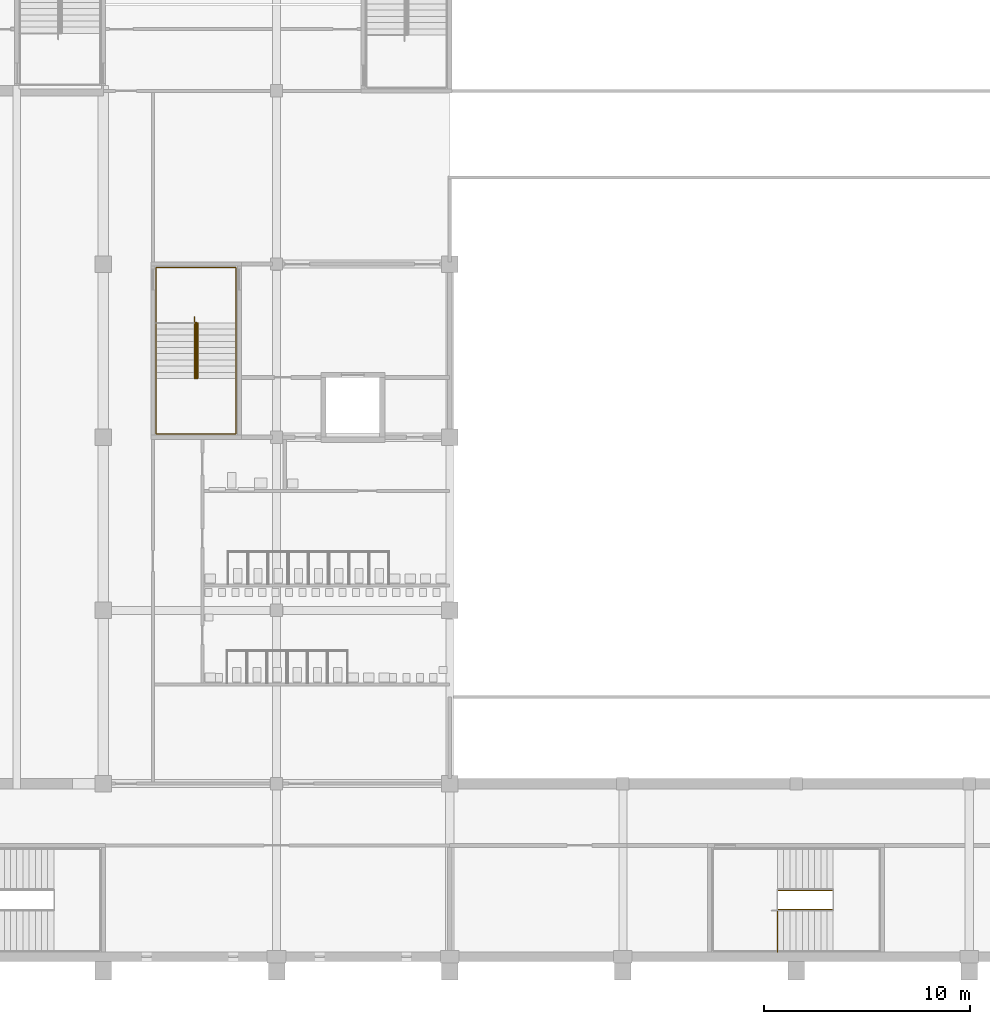
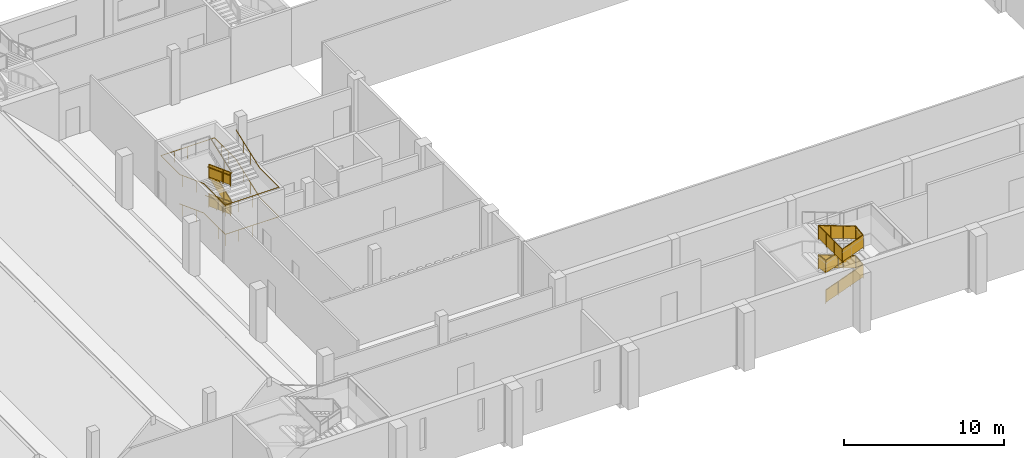
# One storey, part 45 of 56: 6 railings.
"""IFC4 building model written with IfcOpenShell, lengths in metres."""

from ifc_helpers import new_model, si_unit, direction, frame, origin, origin_2d, place, context, subcontext, project, spatial, polyline, circle, outline, extrude, material, type_object, element, save


model = new_model("IFC4")

# Units and contexts
model_context = context("Model", 3, precision=1e-05, world=origin(), true_north=direction((0.0, 1.0)))
body_context = subcontext(model_context, "Body", "Model", "MODEL_VIEW")
ifc_project = project(units=[si_unit("LENGTHUNIT", "METRE"), si_unit("AREAUNIT", "SQUARE_METRE"), si_unit("VOLUMEUNIT", "CUBIC_METRE"), si_unit("PLANEANGLEUNIT", "RADIAN"), si_unit("MASSUNIT", "GRAM", prefix="KILO")], contexts=[model_context])

# Site, building, storey
site_placement = place(None, origin())
site = spatial("IfcSite", under=ifc_project, at=site_placement, CompositionType="ELEMENT")
building_placement = place(site_placement, origin())
building = spatial("IfcBuilding", under=site, at=building_placement, Name="Rulbaag Community and Learning Centre", CompositionType="ELEMENT")
storey_placement = place(building_placement, frame((0.0, 0.0, 9.89990234375)))
storey = spatial("IfcBuildingStorey", under=building, at=storey_placement, Name="L02", CompositionType="ELEMENT", Elevation=9.89990234375)

# Railings
ifc_material_1 = material(Name="Galvanised mild steel", Category="steel")
railing_type_1 = type_object("IfcRailingType", Name="GR-1100 GUARD 1100", PredefinedType="GUARDRAIL", material=ifc_material_1)
railing_1_placement = place(storey_placement, frame((29.679931640625, 30.75, 0.112548828125)))
element("IfcRailing", 1, at=railing_1_placement, inside=storey, type_object=railing_type_1, Name="Guard SH1 L02 G", PredefinedType="GUARDRAIL", context=body_context, shape_type="SweptSolid", body=[
    extrude(circle(Radius=0.02490234375, at=origin_2d()), frame((0.0, 0.0, 1.0751953125), z_axis=(0.0, -0.93633265699, 0.351114162993), x_axis=(1.0, 0.0, 0.0)), (0.0, 0.0, 1.0), 2.883544921875),
    extrude(circle(Radius=0.02001953125, at=origin_2d()), origin(), (0.0, 0.0, 1.0), 1.050048828125),
    extrude(circle(Radius=0.02001953125, at=origin_2d()), frame((0.0, -0.89990234375, 0.33740234375)), (0.0, 0.0, 1.0), 1.050048828125),
    extrude(circle(Radius=0.02001953125, at=origin_2d()), frame((0.0, -1.800048828125, 0.675048828125)), (0.0, 0.0, 1.0), 1.050048828125),
    extrude(circle(Radius=0.02001953125, at=origin_2d()), frame((0.0, -2.699951171875, 1.012451171875)), (0.0, 0.0, 1.0), 1.050048828125),
    extrude(outline(polyline([(0.0, 0.0), (2.699951171875, 1.012451171875), (2.699951171875, 1.96240234375), (0.0, 0.949951171875), (0.0, 0.0)])), frame((0.0048828125, 0.0, 0.10009765625), z_axis=(-1.0, 0.0, 0.0), x_axis=(0.0, -1.0, 0.0)), (0.0, 0.0, 1.0), 0.010009765625),
])
railing_2_placement = place(storey_placement, frame((29.719970703125, 28.050048828125, 1.237548828125)))
element("IfcRailing", 2, at=railing_2_placement, inside=storey, type_object=railing_type_1, Name="Guard SH1 L02 G2", PredefinedType="GUARDRAIL", context=body_context, shape_type="SweptSolid", body=[
    extrude(circle(Radius=0.02490234375, at=origin_2d()), frame((0.0, 0.0, 1.0751953125), z_axis=(0.0, 0.93633265699, 0.351114162993), x_axis=(-1.0, 0.0, 0.0)), (0.0, 0.0, 1.0), 2.883544921875),
    extrude(circle(Radius=0.02001953125, at=origin_2d()), origin(), (0.0, 0.0, 1.0), 1.050048828125),
    extrude(circle(Radius=0.02001953125, at=origin_2d()), frame((0.0, 0.89990234375, 0.33740234375)), (0.0, 0.0, 1.0), 1.050048828125),
    extrude(circle(Radius=0.02001953125, at=origin_2d()), frame((0.0, 1.800048828125, 0.675048828125)), (0.0, 0.0, 1.0), 1.050048828125),
    extrude(circle(Radius=0.02001953125, at=origin_2d()), frame((0.0, 2.699951171875, 1.012451171875)), (0.0, 0.0, 1.0), 1.050048828125),
    extrude(outline(polyline([(0.0, 0.0), (2.699951171875, 1.012451171875), (2.699951171875, 1.96240234375), (0.0, 0.949951171875), (0.0, 0.0)])), frame((-0.0048828125, 0.0, 0.10009765625), z_axis=(1.0, 0.0, 0.0), x_axis=(0.0, 1.0, 0.0)), (0.0, 0.0, 1.0), 0.010009765625),
])
railing_3_placement = place(storey_placement, frame((29.679931640625, 30.75, 2.362548828125)))
element("IfcRailing", 3, at=railing_3_placement, inside=storey, type_object=railing_type_1, Name="Guard SH1 L02 G3", PredefinedType="GUARDRAIL", context=body_context, shape_type="SweptSolid", body=[
    extrude(circle(Radius=0.02490234375, at=origin_2d()), frame((0.0, 0.0, 1.0751953125), z_axis=(0.0, -0.93633265699, 0.351114162993), x_axis=(1.0, 0.0, 0.0)), (0.0, 0.0, 1.0), 2.883544921875),
    extrude(circle(Radius=0.02001953125, at=origin_2d()), origin(), (0.0, 0.0, 1.0), 1.050048828125),
    extrude(circle(Radius=0.02001953125, at=origin_2d()), frame((0.0, -0.89990234375, 0.33740234375)), (0.0, 0.0, 1.0), 1.050048828125),
    extrude(circle(Radius=0.02001953125, at=origin_2d()), frame((0.0, -1.800048828125, 0.675048828125)), (0.0, 0.0, 1.0), 1.050048828125),
    extrude(circle(Radius=0.02001953125, at=origin_2d()), frame((0.0, -2.699951171875, 1.012451171875)), (0.0, 0.0, 1.0), 1.050048828125),
    extrude(outline(polyline([(0.0, 0.0), (2.699951171875, 1.012451171875), (2.699951171875, 1.96240234375), (0.0, 0.949951171875), (0.0, 0.0)])), frame((0.0048828125, 0.0, 0.10009765625), z_axis=(-1.0, 0.0, 0.0), x_axis=(0.0, -1.0, 0.0)), (0.0, 0.0, 1.0), 0.010009765625),
])
railing_4_placement = place(storey_placement, frame((57.89990234375, 2.304931640625, 0.112548828125)))
element("IfcRailing", 4, at=railing_4_placement, inside=storey, type_object=railing_type_1, Name="Guard SH8 L02 G", PredefinedType="GUARDRAIL", context=body_context, shape_type="SweptSolid", body=[
    extrude(circle(Radius=0.02490234375, at=origin_2d()), frame((0.0, 0.0, 1.0751953125), z_axis=(0.936343093598, 0.0, 0.351086329941), x_axis=(0.0, 1.0, 0.0)), (0.0, 0.0, 1.0), 2.8837890625),
    extrude(circle(Radius=0.02490234375, at=origin_2d()), frame((2.7001953125, 0.0, 2.08740234375), z_axis=(0.0, 0.992520392836, 0.122078949065), x_axis=(-1.0, 0.0, 0.0)), (0.0, 0.0, 1.0), 0.921875),
    extrude(circle(Radius=0.02490234375, at=origin_2d()), frame((2.7001953125, 0.9150390625, 2.2001953125), z_axis=(-0.936343093598, 0.0, 0.351086329941), x_axis=(0.0, -1.0, 0.0)), (0.0, 0.0, 1.0), 2.8837890625),
    extrude(circle(Radius=0.02490234375, at=origin_2d()), frame((0.0, 0.9150390625, 3.21240234375), z_axis=(0.0, -0.992520392836, 0.122078949065), x_axis=(1.0, 0.0, 0.0)), (0.0, 0.0, 1.0), 0.921875),
    extrude(circle(Radius=0.02490234375, at=origin_2d()), frame((0.0, 0.0, 3.3251953125), z_axis=(0.936343093598, 0.0, 0.351086329941), x_axis=(0.0, 1.0, 0.0)), (0.0, 0.0, 1.0), 2.8837890625),
    extrude(circle(Radius=0.02490234375, at=origin_2d()), frame((2.7001953125, 0.0, 4.33740234375), z_axis=(0.0, 0.992520392836, 0.122078949065), x_axis=(-1.0, 0.0, 0.0)), (0.0, 0.0, 1.0), 0.921875),
    extrude(circle(Radius=0.02490234375, at=origin_2d()), frame((2.7001953125, 0.9150390625, 4.4501953125), z_axis=(-0.936343093598, 0.0, 0.351086329941), x_axis=(0.0, -1.0, 0.0)), (0.0, 0.0, 1.0), 2.8837890625),
    extrude(circle(Radius=0.02490234375, at=origin_2d()), frame((0.0, 0.9150390625, 5.46240234375), z_axis=(0.0, -1.0, 0.0), x_axis=(1.0, 0.0, 0.0)), (0.0, 0.0, 1.0), 2.994873046875),
    extrude(circle(Radius=0.02001953125, at=origin_2d()), origin(), (0.0, 0.0, 1.0), 1.050048828125),
    extrude(circle(Radius=0.02001953125, at=origin_2d()), frame((0.900146484375, 0.0, 0.33740234375)), (0.0, 0.0, 1.0), 1.050048828125),
    extrude(circle(Radius=0.02001953125, at=origin_2d()), frame((1.800048828125, 0.0, 0.675048828125)), (0.0, 0.0, 1.0), 1.050048828125),
    extrude(circle(Radius=0.02001953125, at=origin_2d()), frame((2.7001953125, 0.0, 1.012451171875)), (0.0, 0.0, 1.0), 1.050048828125),
    extrude(circle(Radius=0.02001953125, at=origin_2d()), frame((2.7001953125, 0.9150390625, 1.125)), (0.0, 0.0, 1.0), 1.050048828125),
    extrude(circle(Radius=0.02001953125, at=origin_2d()), frame((1.800048828125, 0.9150390625, 1.46240234375)), (0.0, 0.0, 1.0), 1.050048828125),
    extrude(circle(Radius=0.02001953125, at=origin_2d()), frame((0.900146484375, 0.9150390625, 1.800048828125)), (0.0, 0.0, 1.0), 1.050048828125),
    extrude(circle(Radius=0.02001953125, at=origin_2d()), frame((0.0, 0.9150390625, 2.137451171875)), (0.0, 0.0, 1.0), 1.050048828125),
    extrude(circle(Radius=0.02001953125, at=origin_2d()), frame((0.0, 0.0, 2.25)), (0.0, 0.0, 1.0), 1.050048828125),
    extrude(circle(Radius=0.02001953125, at=origin_2d()), frame((0.900146484375, 0.0, 2.58740234375)), (0.0, 0.0, 1.0), 1.050048828125),
    extrude(circle(Radius=0.02001953125, at=origin_2d()), frame((1.800048828125, 0.0, 2.925048828125)), (0.0, 0.0, 1.0), 1.050048828125),
    extrude(circle(Radius=0.02001953125, at=origin_2d()), frame((2.7001953125, 0.0, 3.262451171875)), (0.0, 0.0, 1.0), 1.050048828125),
    extrude(circle(Radius=0.02001953125, at=origin_2d()), frame((2.7001953125, 0.9150390625, 3.375)), (0.0, 0.0, 1.0), 1.050048828125),
    extrude(circle(Radius=0.02001953125, at=origin_2d()), frame((1.800048828125, 0.9150390625, 3.71240234375)), (0.0, 0.0, 1.0), 1.050048828125),
    extrude(circle(Radius=0.02001953125, at=origin_2d()), frame((0.900146484375, 0.9150390625, 4.050048828125)), (0.0, 0.0, 1.0), 1.050048828125),
    extrude(circle(Radius=0.02001953125, at=origin_2d()), frame((0.0, 0.9150390625, 4.387451171875)), (0.0, 0.0, 1.0), 1.050048828125),
    extrude(circle(Radius=0.02001953125, at=origin_2d()), frame((0.0, -0.083251953125, 4.387451171875)), (0.0, 0.0, 1.0), 1.050048828125),
    extrude(circle(Radius=0.02001953125, at=origin_2d()), frame((0.0, -1.08154296875, 4.387451171875)), (0.0, 0.0, 1.0), 1.050048828125),
    extrude(circle(Radius=0.02001953125, at=origin_2d()), frame((0.0, -2.079833984375, 4.387451171875)), (0.0, 0.0, 1.0), 1.050048828125),
    extrude(outline(polyline([(0.0, 0.0), (2.7001953125, 1.012451171875), (2.7001953125, 1.96240234375), (0.0, 0.949951171875), (0.0, 0.0)])), frame((0.0, 0.0048828125, 0.10009765625), z_axis=(0.0, -1.0, 0.0), x_axis=(1.0, 0.0, 0.0)), (0.0, 0.0, 1.0), 0.010009765625),
    extrude(outline(polyline([(0.0, 0.0), (0.9150390625, 0.112548828125), (0.9150390625, 1.0625), (0.0, 0.949951171875), (0.0, 0.0)])), frame((2.6953125, 0.0, 1.112548828125), z_axis=(1.0, 0.0, 0.0), x_axis=(0.0, 1.0, 0.0)), (0.0, 0.0, 1.0), 0.010009765625),
    extrude(outline(polyline([(0.0, 0.0), (2.7001953125, 1.012451171875), (2.7001953125, 1.96240234375), (0.0, 0.949951171875), (0.0, 0.0)])), frame((2.7001953125, 0.91015625, 1.22509765625), z_axis=(0.0, 1.0, 0.0), x_axis=(-1.0, 0.0, 0.0)), (0.0, 0.0, 1.0), 0.010009765625),
    extrude(outline(polyline([(0.0, 0.0), (0.9150390625, 0.112548828125), (0.9150390625, 1.0625), (0.0, 0.949951171875), (0.0, 0.0)])), frame((0.0048828125, 0.9150390625, 2.237548828125), z_axis=(-1.0, 0.0, 0.0), x_axis=(0.0, -1.0, 0.0)), (0.0, 0.0, 1.0), 0.010009765625),
    extrude(outline(polyline([(0.0, 0.0), (2.7001953125, 1.012451171875), (2.7001953125, 1.96240234375), (0.0, 0.949951171875), (0.0, 0.0)])), frame((0.0, 0.0048828125, 2.35009765625), z_axis=(0.0, -1.0, 0.0), x_axis=(1.0, 0.0, 0.0)), (0.0, 0.0, 1.0), 0.010009765625),
    extrude(outline(polyline([(0.0, 0.0), (0.9150390625, 0.112548828125), (0.9150390625, 1.0625), (0.0, 0.949951171875), (0.0, 0.0)])), frame((2.6953125, 0.0, 3.362548828125), z_axis=(1.0, 0.0, 0.0), x_axis=(0.0, 1.0, 0.0)), (0.0, 0.0, 1.0), 0.010009765625),
    extrude(outline(polyline([(0.0, 0.0), (2.7001953125, 1.012451171875), (2.7001953125, 1.96240234375), (0.0, 0.949951171875), (0.0, 0.0)])), frame((2.7001953125, 0.91015625, 3.47509765625), z_axis=(0.0, 1.0, 0.0), x_axis=(-1.0, 0.0, 0.0)), (0.0, 0.0, 1.0), 0.010009765625),
    extrude(outline(polyline([(0.0, 0.0), (2.994873046875, 0.0), (2.994873046875, 0.949951171875), (0.0, 0.949951171875), (0.0, 0.0)])), frame((0.0048828125, 0.9150390625, 4.487548828125), z_axis=(-1.0, 0.0, 0.0), x_axis=(0.0, -1.0, 0.0)), (0.0, 0.0, 1.0), 0.010009765625),
])
ifc_material_2 = material(Name="Stainless steel grade 316", Category="steel")
railing_type_2 = type_object("IfcRailingType", Name="HR-900 HANDRAIL 900", PredefinedType="HANDRAIL", material=ifc_material_2)
railing_5_placement = place(storey_placement, frame((27.760009765625, 31.050048828125, 0.0)))
element("IfcRailing", 5, at=railing_5_placement, inside=storey, type_object=railing_type_2, Name="Handrail SH1 L02 O", PredefinedType="HANDRAIL", context=body_context, shape_type="SweptSolid", body=[
    extrude(circle(Radius=0.024169921875, at=origin_2d()), frame((0.0, 0.0, 0.875732421875), z_axis=(0.0, -0.936297865471, 0.351206929196), x_axis=(1.0, 0.0, 0.0)), (0.0, 0.0, 1.0), 0.320556640625),
    extrude(circle(Radius=0.024169921875, at=origin_2d()), frame((0.0, -0.300048828125, 0.98828125), z_axis=(0.0, -0.93633265699, 0.351114162993), x_axis=(1.0, 0.0, 0.0)), (0.0, 0.0, 1.0), 2.883544921875),
    extrude(circle(Radius=0.024169921875, at=origin_2d()), frame((0.0, -3.0, 2.000732421875), z_axis=(0.0, -1.0, 0.0), x_axis=(1.0, 0.0, 0.0)), (0.0, 0.0, 1.0), 2.68994140625),
    extrude(circle(Radius=0.024169921875, at=origin_2d()), frame((0.0, -5.68994140625, 2.000732421875), z_axis=(1.0, 0.0, 0.0), x_axis=(0.0, 1.0, 0.0)), (0.0, 0.0, 1.0), 3.8798828125),
    extrude(circle(Radius=0.024169921875, at=origin_2d()), frame((3.8798828125, -5.68994140625, 2.000732421875), z_axis=(0.0, 1.0, 0.0), x_axis=(-1.0, 0.0, 0.0)), (0.0, 0.0, 1.0), 2.389892578125),
    extrude(circle(Radius=0.024169921875, at=origin_2d()), frame((3.8798828125, -3.300048828125, 2.000732421875), z_axis=(0.0, 0.936297865471, 0.351206929196), x_axis=(-1.0, 0.0, 0.0)), (0.0, 0.0, 1.0), 0.320556640625),
    extrude(circle(Radius=0.024169921875, at=origin_2d()), frame((3.8798828125, -3.0, 2.11328125), z_axis=(0.0, 0.93633265699, 0.351114162993), x_axis=(-1.0, 0.0, 0.0)), (0.0, 0.0, 1.0), 2.883544921875),
    extrude(circle(Radius=0.024169921875, at=origin_2d()), frame((3.8798828125, -0.300048828125, 3.125732421875), z_axis=(0.0, 1.0, 0.0), x_axis=(-1.0, 0.0, 0.0)), (0.0, 0.0, 1.0), 2.68994140625),
    extrude(circle(Radius=0.024169921875, at=origin_2d()), frame((3.8798828125, 2.389892578125, 3.125732421875), z_axis=(-1.0, 0.0, 0.0), x_axis=(0.0, -1.0, 0.0)), (0.0, 0.0, 1.0), 3.8798828125),
    extrude(circle(Radius=0.024169921875, at=origin_2d()), frame((0.0, 2.389892578125, 3.125732421875), z_axis=(0.0, -1.0, 0.0), x_axis=(1.0, 0.0, 0.0)), (0.0, 0.0, 1.0), 2.389892578125),
    extrude(circle(Radius=0.024169921875, at=origin_2d()), frame((0.0, 0.0, 3.125732421875), z_axis=(0.0, -0.936297865471, 0.351206929196), x_axis=(1.0, 0.0, 0.0)), (0.0, 0.0, 1.0), 0.320556640625),
    extrude(circle(Radius=0.024169921875, at=origin_2d()), frame((0.0, -0.300048828125, 3.23828125), z_axis=(0.0, -0.93633265699, 0.351114162993), x_axis=(1.0, 0.0, 0.0)), (0.0, 0.0, 1.0), 2.883544921875),
    extrude(circle(Radius=0.024169921875, at=origin_2d()), frame((0.0, -3.0, 4.250732421875), z_axis=(0.0, -1.0, 0.0), x_axis=(1.0, 0.0, 0.0)), (0.0, 0.0, 1.0), 2.68994140625),
    extrude(circle(Radius=0.024169921875, at=origin_2d()), frame((0.0, -5.68994140625, 4.250732421875), z_axis=(1.0, 0.0, 0.0), x_axis=(0.0, 1.0, 0.0)), (0.0, 0.0, 1.0), 3.8798828125),
    extrude(circle(Radius=0.024169921875, at=origin_2d()), frame((3.8798828125, -5.68994140625, 4.250732421875), z_axis=(0.0, 1.0, 0.0), x_axis=(-1.0, 0.0, 0.0)), (0.0, 0.0, 1.0), 2.389892578125),
    extrude(circle(Radius=0.024169921875, at=origin_2d()), frame((3.8798828125, -3.300048828125, 4.250732421875), z_axis=(0.0, 0.936297865471, 0.351206929196), x_axis=(-1.0, 0.0, 0.0)), (0.0, 0.0, 1.0), 0.320556640625),
    extrude(circle(Radius=0.024169921875, at=origin_2d()), frame((3.8798828125, -3.0, 4.36328125), z_axis=(0.0, 0.93633265699, 0.351114162993), x_axis=(-1.0, 0.0, 0.0)), (0.0, 0.0, 1.0), 2.883544921875),
    extrude(circle(Radius=0.008056640625, at=origin_2d()), origin(), (0.0, 0.0, 1.0), 0.8515625),
    extrude(circle(Radius=0.008056640625, at=origin_2d()), frame((0.0, -0.300048828125, 0.112548828125)), (0.0, 0.0, 1.0), 0.8515625),
    extrude(circle(Radius=0.008056640625, at=origin_2d()), frame((0.0, -1.199951171875, 0.449951171875)), (0.0, 0.0, 1.0), 0.8515625),
    extrude(circle(Radius=0.008056640625, at=origin_2d()), frame((0.0, -2.10009765625, 0.78759765625)), (0.0, 0.0, 1.0), 0.8515625),
    extrude(circle(Radius=0.008056640625, at=origin_2d()), frame((0.0, -3.0, 1.125)), (0.0, 0.0, 1.0), 0.8515625),
    extrude(circle(Radius=0.008056640625, at=origin_2d()), frame((0.0, -3.896728515625, 1.125)), (0.0, 0.0, 1.0), 0.8515625),
    extrude(circle(Radius=0.008056640625, at=origin_2d()), frame((0.0, -4.793212890625, 1.125)), (0.0, 0.0, 1.0), 0.8515625),
    extrude(circle(Radius=0.008056640625, at=origin_2d()), frame((0.0, -5.68994140625, 1.125)), (0.0, 0.0, 1.0), 0.8515625),
    extrude(circle(Radius=0.008056640625, at=origin_2d()), frame((0.969970703125, -5.68994140625, 1.125)), (0.0, 0.0, 1.0), 0.8515625),
    extrude(circle(Radius=0.008056640625, at=origin_2d()), frame((1.93994140625, -5.68994140625, 1.125)), (0.0, 0.0, 1.0), 0.8515625),
    extrude(circle(Radius=0.008056640625, at=origin_2d()), frame((2.909912109375, -5.68994140625, 1.125)), (0.0, 0.0, 1.0), 0.8515625),
    extrude(circle(Radius=0.008056640625, at=origin_2d()), frame((3.8798828125, -5.68994140625, 1.125)), (0.0, 0.0, 1.0), 0.8515625),
    extrude(circle(Radius=0.008056640625, at=origin_2d()), frame((3.8798828125, -4.4951171875, 1.125)), (0.0, 0.0, 1.0), 0.8515625),
    extrude(circle(Radius=0.008056640625, at=origin_2d()), frame((3.8798828125, -3.300048828125, 1.125)), (0.0, 0.0, 1.0), 0.8515625),
    extrude(circle(Radius=0.008056640625, at=origin_2d()), frame((3.8798828125, -3.0, 1.237548828125)), (0.0, 0.0, 1.0), 0.8515625),
    extrude(circle(Radius=0.008056640625, at=origin_2d()), frame((3.8798828125, -2.10009765625, 1.574951171875)), (0.0, 0.0, 1.0), 0.8515625),
    extrude(circle(Radius=0.008056640625, at=origin_2d()), frame((3.8798828125, -1.199951171875, 1.91259765625)), (0.0, 0.0, 1.0), 0.8515625),
    extrude(circle(Radius=0.008056640625, at=origin_2d()), frame((3.8798828125, -0.300048828125, 2.25)), (0.0, 0.0, 1.0), 0.8515625),
    extrude(circle(Radius=0.008056640625, at=origin_2d()), frame((3.8798828125, 0.5966796875, 2.25)), (0.0, 0.0, 1.0), 0.8515625),
    extrude(circle(Radius=0.008056640625, at=origin_2d()), frame((3.8798828125, 1.4931640625, 2.25)), (0.0, 0.0, 1.0), 0.8515625),
    extrude(circle(Radius=0.008056640625, at=origin_2d()), frame((3.8798828125, 2.389892578125, 2.25)), (0.0, 0.0, 1.0), 0.8515625),
    extrude(circle(Radius=0.008056640625, at=origin_2d()), frame((2.909912109375, 2.389892578125, 2.25)), (0.0, 0.0, 1.0), 0.8515625),
    extrude(circle(Radius=0.008056640625, at=origin_2d()), frame((1.93994140625, 2.389892578125, 2.25)), (0.0, 0.0, 1.0), 0.8515625),
    extrude(circle(Radius=0.008056640625, at=origin_2d()), frame((0.969970703125, 2.389892578125, 2.25)), (0.0, 0.0, 1.0), 0.8515625),
    extrude(circle(Radius=0.008056640625, at=origin_2d()), frame((0.0, 2.389892578125, 2.25)), (0.0, 0.0, 1.0), 0.8515625),
    extrude(circle(Radius=0.008056640625, at=origin_2d()), frame((0.0, 1.19482421875, 2.25)), (0.0, 0.0, 1.0), 0.8515625),
    extrude(circle(Radius=0.008056640625, at=origin_2d()), frame((0.0, 0.0, 2.25)), (0.0, 0.0, 1.0), 0.8515625),
    extrude(circle(Radius=0.008056640625, at=origin_2d()), frame((0.0, -0.300048828125, 2.362548828125)), (0.0, 0.0, 1.0), 0.8515625),
    extrude(circle(Radius=0.008056640625, at=origin_2d()), frame((0.0, -1.199951171875, 2.699951171875)), (0.0, 0.0, 1.0), 0.8515625),
    extrude(circle(Radius=0.008056640625, at=origin_2d()), frame((0.0, -2.10009765625, 3.03759765625)), (0.0, 0.0, 1.0), 0.8515625),
    extrude(circle(Radius=0.008056640625, at=origin_2d()), frame((0.0, -3.0, 3.375)), (0.0, 0.0, 1.0), 0.8515625),
    extrude(circle(Radius=0.008056640625, at=origin_2d()), frame((0.0, -3.896728515625, 3.375)), (0.0, 0.0, 1.0), 0.8515625),
    extrude(circle(Radius=0.008056640625, at=origin_2d()), frame((0.0, -4.793212890625, 3.375)), (0.0, 0.0, 1.0), 0.8515625),
    extrude(circle(Radius=0.008056640625, at=origin_2d()), frame((0.0, -5.68994140625, 3.375)), (0.0, 0.0, 1.0), 0.8515625),
    extrude(circle(Radius=0.008056640625, at=origin_2d()), frame((0.969970703125, -5.68994140625, 3.375)), (0.0, 0.0, 1.0), 0.8515625),
    extrude(circle(Radius=0.008056640625, at=origin_2d()), frame((1.93994140625, -5.68994140625, 3.375)), (0.0, 0.0, 1.0), 0.8515625),
    extrude(circle(Radius=0.008056640625, at=origin_2d()), frame((2.909912109375, -5.68994140625, 3.375)), (0.0, 0.0, 1.0), 0.8515625),
    extrude(circle(Radius=0.008056640625, at=origin_2d()), frame((3.8798828125, -5.68994140625, 3.375)), (0.0, 0.0, 1.0), 0.8515625),
    extrude(circle(Radius=0.008056640625, at=origin_2d()), frame((3.8798828125, -4.4951171875, 3.375)), (0.0, 0.0, 1.0), 0.8515625),
    extrude(circle(Radius=0.008056640625, at=origin_2d()), frame((3.8798828125, -3.300048828125, 3.375)), (0.0, 0.0, 1.0), 0.8515625),
    extrude(circle(Radius=0.008056640625, at=origin_2d()), frame((3.8798828125, -3.0, 3.487548828125)), (0.0, 0.0, 1.0), 0.8515625),
    extrude(circle(Radius=0.008056640625, at=origin_2d()), frame((3.8798828125, -2.10009765625, 3.824951171875)), (0.0, 0.0, 1.0), 0.8515625),
    extrude(circle(Radius=0.008056640625, at=origin_2d()), frame((3.8798828125, -1.199951171875, 4.16259765625)), (0.0, 0.0, 1.0), 0.8515625),
    extrude(circle(Radius=0.008056640625, at=origin_2d()), frame((3.8798828125, -0.300048828125, 4.5)), (0.0, 0.0, 1.0), 0.8515625),
])
railing_6_placement = place(storey_placement, frame((29.610107421875, 31.050048828125, 0.0)))
element("IfcRailing", 6, at=railing_6_placement, inside=storey, type_object=railing_type_2, Name="Handrail SH1 L02 I", PredefinedType="HANDRAIL", context=body_context, shape_type="SweptSolid", body=[
    extrude(circle(Radius=0.024169921875, at=origin_2d()), frame((0.0, 0.0, 0.875732421875), z_axis=(0.0, -0.936297865471, 0.351206929196), x_axis=(1.0, 0.0, 0.0)), (0.0, 0.0, 1.0), 0.320556640625),
    extrude(circle(Radius=0.024169921875, at=origin_2d()), frame((0.0, -0.300048828125, 0.98828125), z_axis=(0.0, -0.93633265699, 0.351114162993), x_axis=(1.0, 0.0, 0.0)), (0.0, 0.0, 1.0), 2.883544921875),
    extrude(circle(Radius=0.024169921875, at=origin_2d()), frame((0.0, -3.0, 2.000732421875), z_axis=(0.847804368873, 0.0, 0.530309109973), x_axis=(0.0, 1.0, 0.0)), (0.0, 0.0, 1.0), 0.212158203125),
    extrude(circle(Radius=0.024169921875, at=origin_2d()), frame((0.179931640625, -3.0, 2.11328125), z_axis=(0.0, 0.93633265699, 0.351114162993), x_axis=(-1.0, 0.0, 0.0)), (0.0, 0.0, 1.0), 2.883544921875),
    extrude(circle(Radius=0.024169921875, at=origin_2d()), frame((0.179931640625, -0.300048828125, 3.125732421875), z_axis=(-0.847804368873, 0.0, 0.530309109973), x_axis=(0.0, -1.0, 0.0)), (0.0, 0.0, 1.0), 0.212158203125),
    extrude(circle(Radius=0.024169921875, at=origin_2d()), frame((0.0, -0.300048828125, 3.23828125), z_axis=(0.0, -0.93633265699, 0.351114162993), x_axis=(1.0, 0.0, 0.0)), (0.0, 0.0, 1.0), 2.883544921875),
    extrude(circle(Radius=0.024169921875, at=origin_2d()), frame((0.0, -3.0, 4.250732421875), z_axis=(0.847804368873, 0.0, 0.530309109973), x_axis=(0.0, 1.0, 0.0)), (0.0, 0.0, 1.0), 0.212158203125),
    extrude(circle(Radius=0.024169921875, at=origin_2d()), frame((0.179931640625, -3.0, 4.36328125), z_axis=(0.0, 0.93633265699, 0.351114162993), x_axis=(-1.0, 0.0, 0.0)), (0.0, 0.0, 1.0), 2.883544921875),
    extrude(circle(Radius=0.008056640625, at=origin_2d()), origin(), (0.0, 0.0, 1.0), 0.8515625),
    extrude(circle(Radius=0.008056640625, at=origin_2d()), frame((0.0, -0.300048828125, 0.112548828125)), (0.0, 0.0, 1.0), 0.8515625),
    extrude(circle(Radius=0.008056640625, at=origin_2d()), frame((0.0, -1.199951171875, 0.449951171875)), (0.0, 0.0, 1.0), 0.8515625),
    extrude(circle(Radius=0.008056640625, at=origin_2d()), frame((0.0, -2.10009765625, 0.78759765625)), (0.0, 0.0, 1.0), 0.8515625),
    extrude(circle(Radius=0.008056640625, at=origin_2d()), frame((0.0, -3.0, 1.125)), (0.0, 0.0, 1.0), 0.8515625),
    extrude(circle(Radius=0.008056640625, at=origin_2d()), frame((0.179931640625, -3.0, 1.237548828125)), (0.0, 0.0, 1.0), 0.8515625),
    extrude(circle(Radius=0.008056640625, at=origin_2d()), frame((0.179931640625, -2.10009765625, 1.574951171875)), (0.0, 0.0, 1.0), 0.8515625),
    extrude(circle(Radius=0.008056640625, at=origin_2d()), frame((0.179931640625, -1.199951171875, 1.91259765625)), (0.0, 0.0, 1.0), 0.8515625),
    extrude(circle(Radius=0.008056640625, at=origin_2d()), frame((0.179931640625, -0.300048828125, 2.25)), (0.0, 0.0, 1.0), 0.8515625),
    extrude(circle(Radius=0.008056640625, at=origin_2d()), frame((0.0, -0.300048828125, 2.362548828125)), (0.0, 0.0, 1.0), 0.8515625),
    extrude(circle(Radius=0.008056640625, at=origin_2d()), frame((0.0, -1.199951171875, 2.699951171875)), (0.0, 0.0, 1.0), 0.8515625),
    extrude(circle(Radius=0.008056640625, at=origin_2d()), frame((0.0, -2.10009765625, 3.03759765625)), (0.0, 0.0, 1.0), 0.8515625),
    extrude(circle(Radius=0.008056640625, at=origin_2d()), frame((0.0, -3.0, 3.375)), (0.0, 0.0, 1.0), 0.8515625),
    extrude(circle(Radius=0.008056640625, at=origin_2d()), frame((0.179931640625, -3.0, 3.487548828125)), (0.0, 0.0, 1.0), 0.8515625),
    extrude(circle(Radius=0.008056640625, at=origin_2d()), frame((0.179931640625, -2.10009765625, 3.824951171875)), (0.0, 0.0, 1.0), 0.8515625),
    extrude(circle(Radius=0.008056640625, at=origin_2d()), frame((0.179931640625, -1.199951171875, 4.16259765625)), (0.0, 0.0, 1.0), 0.8515625),
    extrude(circle(Radius=0.008056640625, at=origin_2d()), frame((0.179931640625, -0.300048828125, 4.5)), (0.0, 0.0, 1.0), 0.8515625),
])

save(model, "model.ifc")
